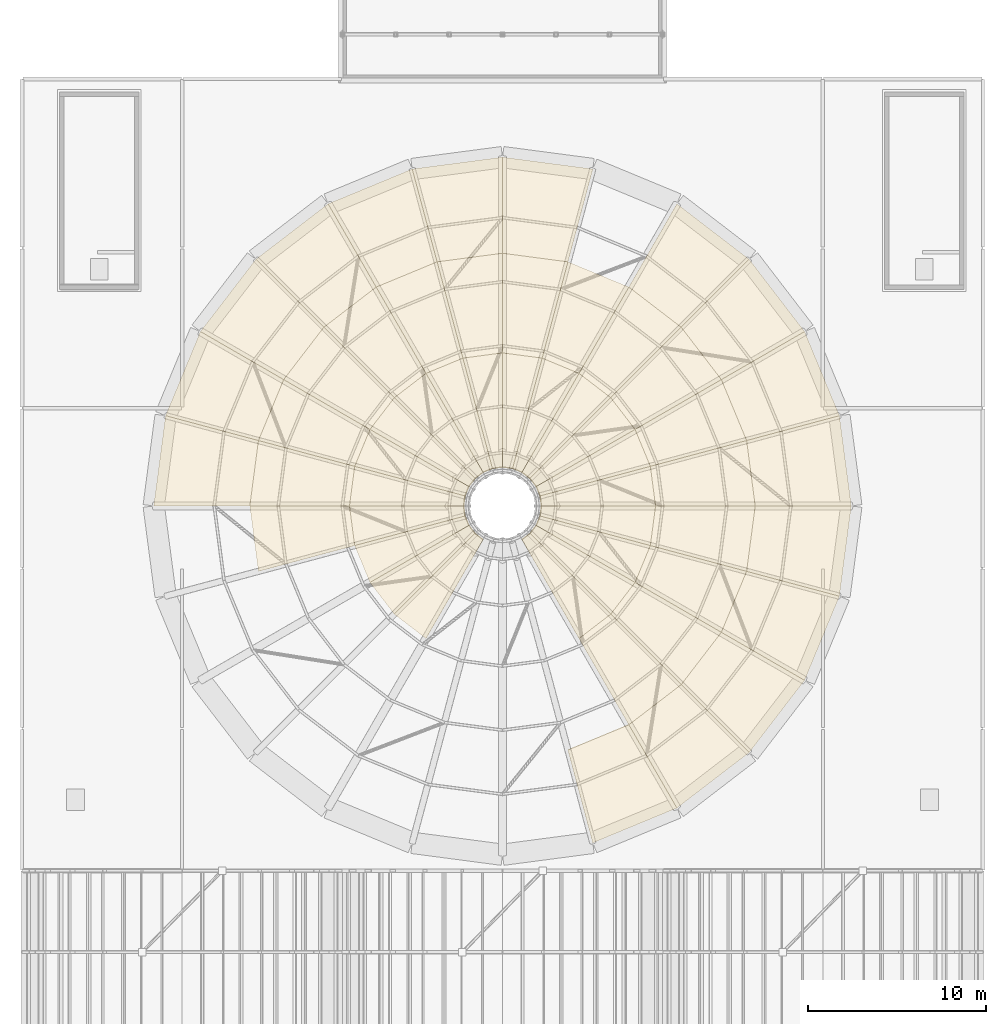
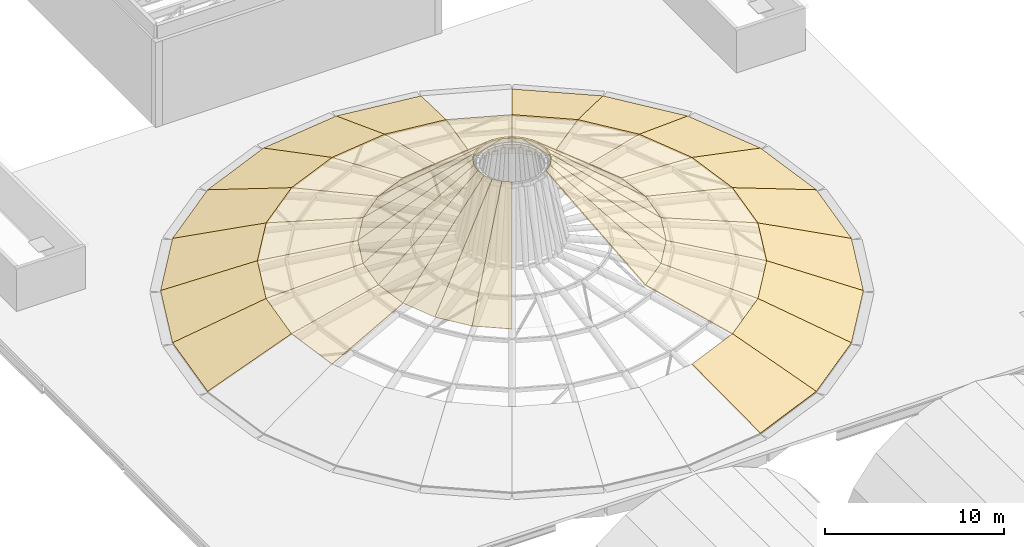
# One storey, part 24 of 25: 53 coverings, 1 element without a shape of its own.
"""IFC4 building model written with IfcOpenShell, lengths in metres."""

from ifc_helpers import new_model, si_unit, direction, frame, origin, place, context, subcontext, project, spatial, polyline, outline, extrude, material, layer, layer_set, type_object, element, aggregate, save


model = new_model("IFC4")

# Units and contexts
model_context = context("Model", 3, precision=1e-05, world=origin(), true_north=direction((0.0, 1.0)))
body_context = subcontext(model_context, "Body", "Model", "MODEL_VIEW")
ifc_project = project(units=[si_unit("LENGTHUNIT", "METRE"), si_unit("AREAUNIT", "SQUARE_METRE"), si_unit("VOLUMEUNIT", "CUBIC_METRE"), si_unit("PLANEANGLEUNIT", "RADIAN"), si_unit("MASSUNIT", "GRAM", prefix="KILO")], contexts=[model_context])

# Site, building, storey
site_placement = place(None, origin())
site = spatial("IfcSite", under=ifc_project, at=site_placement, CompositionType="ELEMENT")
building_placement = place(site_placement, origin())
building = spatial("IfcBuilding", under=site, at=building_placement, Name="Marnock Terrace Opera House", CompositionType="ELEMENT")
storey_placement = place(building_placement, frame((0.0, 0.0, 28.199951171875)))
storey = spatial("IfcBuildingStorey", under=building, at=storey_placement, Name="RF", CompositionType="ELEMENT", Elevation=28.199951171875)

# Roof, coverings
roof_placement = place(storey_placement, origin())
roof = element("IfcRoof", 1, at=roof_placement, inside=storey, Name="Main Auditorium steel-ribbed spherical dome", PredefinedType="DOME_ROOF")
ifc_material = material(Name="Patinated green copper-zinc standing-seam roofing")
ifc_layer = layer(ifc_material, 0.074951171875)
ifc_layer_set = layer_set([ifc_layer], Name="Patinated green copper-zinc standing-seam roofing")
covering_type = type_object("IfcCoveringType", Name="COV-DOME-GREEN", PredefinedType="ROOFING", material=ifc_layer_set)
covering_1_placement = place(storey_placement, frame((101.60009765625, 60.5, 0.10009765625), z_axis=(0.352317131294, 0.046389602184, 0.934730251894), x_axis=(-0.130549838233, 0.991441748027, 2.520747e-06)))
covering_1 = element("IfcCovering", 2, at=covering_1_placement, type_object=covering_type, Name="Dome green standing-seam gore 1.1", PredefinedType="ROOFING", context=body_context, shape_type="SweptSolid", body=[
    extrude(outline(polyline([(0.0, 0.0), (5.116543212380876, -1.1102230246251565e-16), (4.412003599005117, 5.727713691704827), (0.7049933807000869, 5.727776281930253), (0.0, 0.0)])), origin(), (0.0, 0.0, -1.0), 0.074951171875),
])
covering_2_placement = place(storey_placement, frame((96.199951171875, 60.5, 2.135498046875), z_axis=(0.237818915823, 0.031317595841, 0.970804497037), x_axis=(-0.130534414528, 0.991443778832, -6.265549e-06)))
covering_2 = element("IfcCovering", 3, at=covering_2_placement, type_object=covering_type, Name="Dome green standing-seam gore 1.2", PredefinedType="ROOFING", context=body_context, shape_type="SweptSolid", body=[
    extrude(outline(polyline([(0.0, 0.0), (3.707010218781899, 0.0), (2.9760247615627935, 5.719067657369038), (0.730965004858934, 5.718912187068278), (0.0, 0.0)])), origin(), (0.0, 0.0, -1.0), 0.074951171875),
])
covering_3_placement = place(storey_placement, frame((90.60009765625, 60.5, 3.50732421875), z_axis=(0.651569118289, 0.085821139871, 0.753719056442), x_axis=(-0.130596290777, 0.991435630167, 8.456923e-06)))
covering_3 = element("IfcCovering", 4, at=covering_3_placement, type_object=covering_type, Name="Dome green standing-seam gore 1.3", PredefinedType="ROOFING", context=body_context, shape_type="SweptSolid", body=[
    extrude(outline(polyline([(0.0, 0.0), (2.2450597620731765, -5.551115123125783e-17), (1.410130460041639, 8.418639955219465), (0.8358821810335909, 8.418676234569498), (0.0, 0.0)])), origin(), (0.0, 0.0, -1.0), 0.074951171875),
])
covering_4_placement = place(storey_placement, frame((100.93212890625, 65.57275390625, 0.10009765625), z_axis=(0.32831772337, 0.135983771502, 0.934727707094), x_axis=(-0.3826655891, 0.923886923229, 2.425053e-06)))
covering_4 = element("IfcCovering", 5, at=covering_4_placement, type_object=covering_type, Name="Dome green standing-seam gore 2.1", PredefinedType="ROOFING", context=body_context, shape_type="SweptSolid", body=[
    extrude(outline(polyline([(0.0, 0.0), (5.116748173598148, 2.220446049250313e-16), (4.411844387682832, 5.727606992132528), (0.70491742681314, 5.727667205970325), (0.0, 0.0)])), origin(), (0.0, 0.0, -1.0), 0.074951171875),
])
covering_5_placement = place(storey_placement, frame((95.716064453125, 64.17529296875, 2.135498046875), z_axis=(0.221610143309, 0.091786584396, 0.970805936997), x_axis=(-0.382650783688, 0.923893055359, -1.743796e-06)))
covering_5 = element("IfcCovering", 6, at=covering_5_placement, type_object=covering_type, Name="Dome green standing-seam gore 2.2", PredefinedType="ROOFING", context=body_context, shape_type="SweptSolid", body=[
    extrude(outline(polyline([(0.0, 0.0), (3.7069269613765257, -2.220446049250313e-16), (2.9757791507463995, 5.719150504026977), (0.7306757556963367, 5.719107233545815), (0.0, 0.0)])), origin(), (0.0, 0.0, -1.0), 0.074951171875),
])
covering_6_placement = place(storey_placement, frame((90.306884765625, 62.725830078125, 3.50732421875), z_axis=(0.607189973962, 0.251468837389, 0.753713313762), x_axis=(-0.382654051138, 0.923891701887, 1.8218067e-05)))
covering_6 = element("IfcCovering", 7, at=covering_6_placement, type_object=covering_type, Name="Dome green standing-seam gore 2.3", PredefinedType="ROOFING", context=body_context, shape_type="SweptSolid", body=[
    extrude(outline(polyline([(0.0, 0.0), (2.2451033948210775, -1.1102230246251565e-16), (1.4096484607707565, 8.418534661170975), (0.8352028538550624, 8.418612820744906), (0.0, 0.0)])), origin(), (0.0, 0.0, -1.0), 0.074951171875),
])
covering_7_placement = place(storey_placement, frame((98.97412109375, 70.300048828125, 0.10009765625), z_axis=(0.281933207248, 0.216329386275, 0.934727373775), x_axis=(-0.60875110808, 0.793361259712, -2.16203e-07)))
covering_7 = element("IfcCovering", 8, at=covering_7_placement, type_object=covering_type, Name="Dome green standing-seam gore 3.1", PredefinedType="ROOFING", context=body_context, shape_type="SweptSolid", body=[
    extrude(outline(polyline([(0.0, 0.0), (5.116617261257561, 0.0), (4.41170891799427, 5.727625652140126), (0.7047957767661198, 5.72762028393561), (0.0, 0.0)])), origin(), (0.0, 0.0, -1.0), 0.074951171875),
])
covering_8_placement = place(storey_placement, frame((94.297607421875, 67.60009765625, 2.135498046875), z_axis=(0.1902948667, 0.146019653415, 0.970806945033), x_axis=(-0.608752990058, 0.793359815646, -3.663156e-06)))
covering_8 = element("IfcCovering", 9, at=covering_8_placement, type_object=covering_type, Name="Dome green standing-seam gore 3.2", PredefinedType="ROOFING", context=body_context, shape_type="SweptSolid", body=[
    extrude(outline(polyline([(0.0, 0.0), (3.7069131412058365, 4.440892098500626e-16), (2.9758722978650205, 5.719271595584956), (0.7309115816826378, 5.7191806990435365), (0.0, 0.0)])), origin(), (0.0, 0.0, -1.0), 0.074951171875),
])
covering_9_placement = place(storey_placement, frame((89.44775390625, 64.800048828125, 3.50732421875), z_axis=(0.521382883776, 0.400100608334, 0.753710416351), x_axis=(-0.608787205779, 0.79333356041, -2.668368e-06)))
covering_9 = element("IfcCovering", 10, at=covering_9_placement, type_object=covering_type, Name="Dome green standing-seam gore 3.3", PredefinedType="ROOFING", context=body_context, shape_type="SweptSolid", body=[
    extrude(outline(polyline([(0.0, 0.0), (2.2449607180520497, 0.0), (1.409801611605279, 8.418536893474021), (0.835547778011423, 8.418525446995334), (0.0, 0.0)])), origin(), (0.0, 0.0, -1.0), 0.074951171875),
])
covering_10_placement = place(storey_placement, frame((95.859375, 74.359375, 0.10009765625), z_axis=(0.216329386275, 0.281933207248, 0.934727373775), x_axis=(-0.793361259712, 0.60875110808, 2.16203e-07)))
covering_10 = element("IfcCovering", 11, at=covering_10_placement, type_object=covering_type, Name="Dome green standing-seam gore 4.1", PredefinedType="ROOFING", context=body_context, shape_type="SweptSolid", body=[
    extrude(outline(polyline([(0.0, 0.0), (5.116617261257561, 0.0), (4.4118214844914405, 5.72762028393561), (0.7049083432632915, 5.727625652140126), (0.0, 0.0)])), origin(), (0.0, 0.0, -1.0), 0.074951171875),
])
covering_11_placement = place(storey_placement, frame((92.041015625, 70.541015625, 2.135498046875), z_axis=(0.146019653415, 0.1902948667, 0.970806945033), x_axis=(-0.793359815646, 0.608752990058, 3.663156e-06)))
covering_11 = element("IfcCovering", 12, at=covering_11_placement, type_object=covering_type, Name="Dome green standing-seam gore 4.2", PredefinedType="ROOFING", context=body_context, shape_type="SweptSolid", body=[
    extrude(outline(polyline([(0.0, 0.0), (3.7069131412058365, -4.440892098500626e-16), (2.976001559523198, 5.719180699043536), (0.7310408433408161, 5.719271595584955), (0.0, 0.0)])), origin(), (0.0, 0.0, -1.0), 0.074951171875),
])
covering_12_placement = place(storey_placement, frame((88.0810546875, 66.5810546875, 3.50732421875), z_axis=(0.400100608334, 0.521382883776, 0.753710416351), x_axis=(-0.79333356041, 0.608787205779, 2.668368e-06)))
covering_12 = element("IfcCovering", 13, at=covering_12_placement, type_object=covering_type, Name="Dome green standing-seam gore 4.3", PredefinedType="ROOFING", context=body_context, shape_type="SweptSolid", body=[
    extrude(outline(polyline([(0.0, 0.0), (2.2449607180520497, 0.0), (1.4094129400406266, 8.418525446995336), (0.8351591064467704, 8.418536893474021), (0.0, 0.0)])), origin(), (0.0, 0.0, -1.0), 0.074951171875),
])
covering_13_placement = place(storey_placement, frame((89.10009765625, 72.797607421875, 2.135498046875), z_axis=(0.091786584396, 0.221610143309, 0.970805936997), x_axis=(-0.923893055359, 0.382650783688, 1.743796e-06)))
covering_13 = element("IfcCovering", 14, at=covering_13_placement, type_object=covering_type, Name="Dome green standing-seam gore 5.2", PredefinedType="ROOFING", context=body_context, shape_type="SweptSolid", body=[
    extrude(outline(polyline([(0.0, 0.0), (3.7069269613765257, 2.220446049250313e-16), (2.976251205680189, 5.719107233545815), (0.731147810630126, 5.719150504026977), (0.0, 0.0)])), origin(), (0.0, 0.0, -1.0), 0.074951171875),
])
covering_14_placement = place(storey_placement, frame((86.300048828125, 67.94775390625, 3.50732421875), z_axis=(0.251468837389, 0.607189973962, 0.753713313762), x_axis=(-0.923891701887, 0.382654051138, -1.8218067e-05)))
covering_14 = element("IfcCovering", 15, at=covering_14_placement, type_object=covering_type, Name="Dome green standing-seam gore 5.3", PredefinedType="ROOFING", context=body_context, shape_type="SweptSolid", body=[
    extrude(outline(polyline([(0.0, 0.0), (2.2451033948210775, 1.1102230246251565e-16), (1.409900540966015, 8.418612820744906), (0.835454934050321, 8.418534661170975), (0.0, 0.0)])), origin(), (0.0, 0.0, -1.0), 0.074951171875),
])
covering_15_placement = place(storey_placement, frame((87.07275390625, 79.43212890625, 0.10009765625), z_axis=(0.046389602184, 0.352317131294, 0.934730251894), x_axis=(-0.991441748027, 0.130549838233, -2.520747e-06)))
covering_15 = element("IfcCovering", 16, at=covering_15_placement, type_object=covering_type, Name="Dome green standing-seam gore 6.1", PredefinedType="ROOFING", context=body_context, shape_type="SweptSolid", body=[
    extrude(outline(polyline([(0.0, 0.0), (5.116543212380876, 1.1102230246251565e-16), (4.411549831680788, 5.727776281930254), (0.7045396133757587, 5.727713691704827), (0.0, 0.0)])), origin(), (0.0, 0.0, -1.0), 0.074951171875),
])
covering_16_placement = place(storey_placement, frame((85.67529296875, 74.216064453125, 2.135498046875), z_axis=(0.031317595841, 0.237818915823, 0.970804497037), x_axis=(-0.991443778832, 0.130534414528, 6.265549e-06)))
covering_16 = element("IfcCovering", 17, at=covering_16_placement, type_object=covering_type, Name="Dome green standing-seam gore 6.2", PredefinedType="ROOFING", context=body_context, shape_type="SweptSolid", body=[
    extrude(outline(polyline([(0.0, 0.0), (3.707010218781899, 0.0), (2.9760452139229656, 5.718912187068278), (0.7309854572191057, 5.719067657369038), (0.0, 0.0)])), origin(), (0.0, 0.0, -1.0), 0.074951171875),
])
covering_17_placement = place(storey_placement, frame((84.225830078125, 68.806884765625, 3.50732421875), z_axis=(0.085821139871, 0.651569118289, 0.753719056442), x_axis=(-0.991435630167, 0.130596290777, -8.456923e-06)))
covering_17 = element("IfcCovering", 18, at=covering_17_placement, type_object=covering_type, Name="Dome green standing-seam gore 6.3", PredefinedType="ROOFING", context=body_context, shape_type="SweptSolid", body=[
    extrude(outline(polyline([(0.0, 0.0), (2.2450597620731765, 5.551115123125783e-17), (1.4091775810395855, 8.418676234569498), (0.8349293020315377, 8.418639955219465), (0.0, 0.0)])), origin(), (0.0, 0.0, -1.0), 0.074951171875),
])
covering_18_placement = place(storey_placement, frame((82.0, 80.10009765625, 0.10009765625), z_axis=(-0.046389602184, 0.352317131294, 0.934730251894), x_axis=(-0.991441748027, -0.130549838233, 2.520747e-06)))
covering_18 = element("IfcCovering", 19, at=covering_18_placement, type_object=covering_type, Name="Dome green standing-seam gore 7.1", PredefinedType="ROOFING", context=body_context, shape_type="SweptSolid", body=[
    extrude(outline(polyline([(0.0, 0.0), (5.116543212380876, -1.1102230246251565e-16), (4.412003599005117, 5.727713691704827), (0.7049933807000869, 5.727776281930253), (0.0, 0.0)])), origin(), (0.0, 0.0, -1.0), 0.074951171875),
])
covering_19_placement = place(storey_placement, frame((82.0, 74.699951171875, 2.135498046875), z_axis=(-0.031317595841, 0.237818915823, 0.970804497037), x_axis=(-0.991443778832, -0.130534414528, -6.265549e-06)))
covering_19 = element("IfcCovering", 20, at=covering_19_placement, type_object=covering_type, Name="Dome green standing-seam gore 7.2", PredefinedType="ROOFING", context=body_context, shape_type="SweptSolid", body=[
    extrude(outline(polyline([(0.0, 0.0), (3.707010218781899, 0.0), (2.9760247615627935, 5.719067657369038), (0.730965004858934, 5.718912187068278), (0.0, 0.0)])), origin(), (0.0, 0.0, -1.0), 0.074951171875),
])
covering_20_placement = place(storey_placement, frame((82.0, 69.10009765625, 3.50732421875), z_axis=(-0.085821139871, 0.651569118289, 0.753719056442), x_axis=(-0.991435630167, -0.130596290777, 8.456923e-06)))
covering_20 = element("IfcCovering", 21, at=covering_20_placement, type_object=covering_type, Name="Dome green standing-seam gore 7.3", PredefinedType="ROOFING", context=body_context, shape_type="SweptSolid", body=[
    extrude(outline(polyline([(0.0, 0.0), (2.2450597620731765, -5.551115123125783e-17), (1.410130460041639, 8.418639955219465), (0.8358821810335909, 8.418676234569498), (0.0, 0.0)])), origin(), (0.0, 0.0, -1.0), 0.074951171875),
])
covering_21_placement = place(storey_placement, frame((76.92724609375, 79.43212890625, 0.10009765625), z_axis=(-0.135983771502, 0.32831772337, 0.934727707094), x_axis=(-0.923886923229, -0.3826655891, 2.425053e-06)))
covering_21 = element("IfcCovering", 22, at=covering_21_placement, type_object=covering_type, Name="Dome green standing-seam gore 8.1", PredefinedType="ROOFING", context=body_context, shape_type="SweptSolid", body=[
    extrude(outline(polyline([(0.0, 0.0), (5.116748173598148, 2.220446049250313e-16), (4.411844387682832, 5.727606992132528), (0.70491742681314, 5.727667205970325), (0.0, 0.0)])), origin(), (0.0, 0.0, -1.0), 0.074951171875),
])
covering_22_placement = place(storey_placement, frame((78.32470703125, 74.216064453125, 2.135498046875), z_axis=(-0.091786584396, 0.221610143309, 0.970805936997), x_axis=(-0.923893055359, -0.382650783688, -1.743796e-06)))
covering_22 = element("IfcCovering", 23, at=covering_22_placement, type_object=covering_type, Name="Dome green standing-seam gore 8.2", PredefinedType="ROOFING", context=body_context, shape_type="SweptSolid", body=[
    extrude(outline(polyline([(0.0, 0.0), (3.7069269613765257, -2.220446049250313e-16), (2.9757791507463995, 5.719150504026977), (0.7306757556963367, 5.719107233545815), (0.0, 0.0)])), origin(), (0.0, 0.0, -1.0), 0.074951171875),
])
covering_23_placement = place(storey_placement, frame((79.774169921875, 68.806884765625, 3.50732421875), z_axis=(-0.251468837389, 0.607189973962, 0.753713313762), x_axis=(-0.923891701887, -0.382654051138, 1.8218067e-05)))
covering_23 = element("IfcCovering", 24, at=covering_23_placement, type_object=covering_type, Name="Dome green standing-seam gore 8.3", PredefinedType="ROOFING", context=body_context, shape_type="SweptSolid", body=[
    extrude(outline(polyline([(0.0, 0.0), (2.2451033948210775, -1.1102230246251565e-16), (1.4096484607707565, 8.418534661170975), (0.8352028538550624, 8.418612820744906), (0.0, 0.0)])), origin(), (0.0, 0.0, -1.0), 0.074951171875),
])
covering_24_placement = place(storey_placement, frame((72.199951171875, 77.47412109375, 0.10009765625), z_axis=(-0.216329386275, 0.281933207248, 0.934727373775), x_axis=(-0.793361259712, -0.60875110808, -2.16203e-07)))
covering_24 = element("IfcCovering", 25, at=covering_24_placement, type_object=covering_type, Name="Dome green standing-seam gore 9.1", PredefinedType="ROOFING", context=body_context, shape_type="SweptSolid", body=[
    extrude(outline(polyline([(0.0, 0.0), (5.116617261257561, 0.0), (4.41170891799427, 5.727625652140126), (0.7047957767661198, 5.72762028393561), (0.0, 0.0)])), origin(), (0.0, 0.0, -1.0), 0.074951171875),
])
covering_25_placement = place(storey_placement, frame((74.89990234375, 72.797607421875, 2.135498046875), z_axis=(-0.146019653415, 0.1902948667, 0.970806945033), x_axis=(-0.793359815646, -0.608752990058, -3.663156e-06)))
covering_25 = element("IfcCovering", 26, at=covering_25_placement, type_object=covering_type, Name="Dome green standing-seam gore 9.2", PredefinedType="ROOFING", context=body_context, shape_type="SweptSolid", body=[
    extrude(outline(polyline([(0.0, 0.0), (3.7069131412058365, 4.440892098500626e-16), (2.9758722978650205, 5.719271595584956), (0.7309115816826378, 5.7191806990435365), (0.0, 0.0)])), origin(), (0.0, 0.0, -1.0), 0.074951171875),
])
covering_26_placement = place(storey_placement, frame((77.699951171875, 67.94775390625, 3.50732421875), z_axis=(-0.400100608334, 0.521382883776, 0.753710416351), x_axis=(-0.79333356041, -0.608787205779, -2.668368e-06)))
covering_26 = element("IfcCovering", 27, at=covering_26_placement, type_object=covering_type, Name="Dome green standing-seam gore 9.3", PredefinedType="ROOFING", context=body_context, shape_type="SweptSolid", body=[
    extrude(outline(polyline([(0.0, 0.0), (2.2449607180520497, 0.0), (1.409801611605279, 8.418536893474021), (0.835547778011423, 8.418525446995334), (0.0, 0.0)])), origin(), (0.0, 0.0, -1.0), 0.074951171875),
])
covering_27_placement = place(storey_placement, frame((68.140625, 74.359375, 0.10009765625), z_axis=(-0.281933207248, 0.216329386275, 0.934727373775), x_axis=(-0.60875110808, -0.793361259712, 2.16203e-07)))
covering_27 = element("IfcCovering", 28, at=covering_27_placement, type_object=covering_type, Name="Dome green standing-seam gore 10.1", PredefinedType="ROOFING", context=body_context, shape_type="SweptSolid", body=[
    extrude(outline(polyline([(0.0, 0.0), (5.116617261257561, 0.0), (4.4118214844914405, 5.72762028393561), (0.7049083432632915, 5.727625652140126), (0.0, 0.0)])), origin(), (0.0, 0.0, -1.0), 0.074951171875),
])
covering_28_placement = place(storey_placement, frame((71.958984375, 70.541015625, 2.135498046875), z_axis=(-0.1902948667, 0.146019653415, 0.970806945033), x_axis=(-0.608752990058, -0.793359815646, 3.663156e-06)))
covering_28 = element("IfcCovering", 29, at=covering_28_placement, type_object=covering_type, Name="Dome green standing-seam gore 10.2", PredefinedType="ROOFING", context=body_context, shape_type="SweptSolid", body=[
    extrude(outline(polyline([(0.0, 0.0), (3.7069131412058365, -4.440892098500626e-16), (2.976001559523198, 5.719180699043536), (0.7310408433408161, 5.719271595584955), (0.0, 0.0)])), origin(), (0.0, 0.0, -1.0), 0.074951171875),
])
covering_29_placement = place(storey_placement, frame((75.9189453125, 66.5810546875, 3.50732421875), z_axis=(-0.521382883776, 0.400100608334, 0.753710416351), x_axis=(-0.608787205779, -0.79333356041, 2.668368e-06)))
covering_29 = element("IfcCovering", 30, at=covering_29_placement, type_object=covering_type, Name="Dome green standing-seam gore 10.3", PredefinedType="ROOFING", context=body_context, shape_type="SweptSolid", body=[
    extrude(outline(polyline([(0.0, 0.0), (2.2449607180520497, 0.0), (1.4094129400406266, 8.418525446995336), (0.8351591064467704, 8.418536893474021), (0.0, 0.0)])), origin(), (0.0, 0.0, -1.0), 0.074951171875),
])
covering_30_placement = place(storey_placement, frame((65.02587890625, 70.300048828125, 0.10009765625), z_axis=(-0.32831772337, 0.135983771502, 0.934727707094), x_axis=(-0.3826655891, -0.923886923229, -2.425053e-06)))
covering_30 = element("IfcCovering", 31, at=covering_30_placement, type_object=covering_type, Name="Dome green standing-seam gore 11.1", PredefinedType="ROOFING", context=body_context, shape_type="SweptSolid", body=[
    extrude(outline(polyline([(0.0, 0.0), (5.116748173598148, -2.220446049250313e-16), (4.411830746785007, 5.727667205970325), (0.7049037859153156, 5.727606992132527), (0.0, 0.0)])), origin(), (0.0, 0.0, -1.0), 0.074951171875),
])
covering_31_placement = place(storey_placement, frame((69.702392578125, 67.60009765625, 2.135498046875), z_axis=(-0.221610143309, 0.091786584396, 0.970805936997), x_axis=(-0.382650783688, -0.923893055359, 1.743796e-06)))
covering_31 = element("IfcCovering", 32, at=covering_31_placement, type_object=covering_type, Name="Dome green standing-seam gore 11.2", PredefinedType="ROOFING", context=body_context, shape_type="SweptSolid", body=[
    extrude(outline(polyline([(0.0, 0.0), (3.7069269613765257, 2.220446049250313e-16), (2.976251205680189, 5.719107233545815), (0.731147810630126, 5.719150504026977), (0.0, 0.0)])), origin(), (0.0, 0.0, -1.0), 0.074951171875),
])
covering_32_placement = place(storey_placement, frame((74.55224609375, 64.800048828125, 3.50732421875), z_axis=(-0.607189973962, 0.251468837389, 0.753713313762), x_axis=(-0.382654051138, -0.923891701887, -1.8218067e-05)))
covering_32 = element("IfcCovering", 33, at=covering_32_placement, type_object=covering_type, Name="Dome green standing-seam gore 11.3", PredefinedType="ROOFING", context=body_context, shape_type="SweptSolid", body=[
    extrude(outline(polyline([(0.0, 0.0), (2.2451033948210775, 1.1102230246251565e-16), (1.409900540966015, 8.418612820744906), (0.835454934050321, 8.418534661170975), (0.0, 0.0)])), origin(), (0.0, 0.0, -1.0), 0.074951171875),
])
covering_33_placement = place(storey_placement, frame((63.06787109375, 65.57275390625, 0.10009765625), z_axis=(-0.352317131294, 0.046389602184, 0.934730251894), x_axis=(-0.130549838233, -0.991441748027, -2.520747e-06)))
covering_33 = element("IfcCovering", 34, at=covering_33_placement, type_object=covering_type, Name="Dome green standing-seam gore 12.1", PredefinedType="ROOFING", context=body_context, shape_type="SweptSolid", body=[
    extrude(outline(polyline([(0.0, 0.0), (5.116543212380876, 1.1102230246251565e-16), (4.411549831680788, 5.727776281930254), (0.7045396133757587, 5.727713691704827), (0.0, 0.0)])), origin(), (0.0, 0.0, -1.0), 0.074951171875),
])
covering_34_placement = place(storey_placement, frame((68.283935546875, 64.17529296875, 2.135498046875), z_axis=(-0.237818915823, 0.031317595841, 0.970804497037), x_axis=(-0.130534414528, -0.991443778832, 6.265549e-06)))
covering_34 = element("IfcCovering", 35, at=covering_34_placement, type_object=covering_type, Name="Dome green standing-seam gore 12.2", PredefinedType="ROOFING", context=body_context, shape_type="SweptSolid", body=[
    extrude(outline(polyline([(0.0, 0.0), (3.707010218781899, 0.0), (2.9760452139229656, 5.718912187068278), (0.7309854572191057, 5.719067657369038), (0.0, 0.0)])), origin(), (0.0, 0.0, -1.0), 0.074951171875),
])
covering_35_placement = place(storey_placement, frame((73.693115234375, 62.725830078125, 3.50732421875), z_axis=(-0.651569118289, 0.085821139871, 0.753719056442), x_axis=(-0.130596290777, -0.991435630167, -8.456923e-06)))
covering_35 = element("IfcCovering", 36, at=covering_35_placement, type_object=covering_type, Name="Dome green standing-seam gore 12.3", PredefinedType="ROOFING", context=body_context, shape_type="SweptSolid", body=[
    extrude(outline(polyline([(0.0, 0.0), (2.2450597620731765, 5.551115123125783e-17), (1.4091775810395855, 8.418676234569498), (0.8349293020315377, 8.418639955219465), (0.0, 0.0)])), origin(), (0.0, 0.0, -1.0), 0.074951171875),
])
covering_36_placement = place(storey_placement, frame((67.800048828125, 60.5, 2.135498046875), z_axis=(-0.237818915823, -0.031317595841, 0.970804497037), x_axis=(0.130534414528, -0.991443778832, -6.265549e-06)))
covering_36 = element("IfcCovering", 37, at=covering_36_placement, type_object=covering_type, Name="Dome green standing-seam gore 13.2", PredefinedType="ROOFING", context=body_context, shape_type="SweptSolid", body=[
    extrude(outline(polyline([(0.0, 0.0), (3.707010218781899, 0.0), (2.9760247615627935, 5.719067657369038), (0.730965004858934, 5.718912187068278), (0.0, 0.0)])), origin(), (0.0, 0.0, -1.0), 0.074951171875),
])
covering_37_placement = place(storey_placement, frame((73.39990234375, 60.5, 3.50732421875), z_axis=(-0.651569118289, -0.085821139871, 0.753719056442), x_axis=(0.130596290777, -0.991435630167, 8.456923e-06)))
covering_37 = element("IfcCovering", 38, at=covering_37_placement, type_object=covering_type, Name="Dome green standing-seam gore 13.3", PredefinedType="ROOFING", context=body_context, shape_type="SweptSolid", body=[
    extrude(outline(polyline([(0.0, 0.0), (2.2450597620731765, -5.551115123125783e-17), (1.410130460041639, 8.418639955219465), (0.8358821810335909, 8.418676234569498), (0.0, 0.0)])), origin(), (0.0, 0.0, -1.0), 0.074951171875),
])
covering_38_placement = place(storey_placement, frame((73.693115234375, 58.274169921875, 3.50732421875), z_axis=(-0.607189973962, -0.251468837389, 0.753713313762), x_axis=(0.382654051138, -0.923891701887, 1.8218067e-05)))
covering_38 = element("IfcCovering", 39, at=covering_38_placement, type_object=covering_type, Name="Dome green standing-seam gore 14.3", PredefinedType="ROOFING", context=body_context, shape_type="SweptSolid", body=[
    extrude(outline(polyline([(0.0, 0.0), (2.2451033948210775, -1.1102230246251565e-16), (1.4096484607707565, 8.418534661170975), (0.8352028538550624, 8.418612820744906), (0.0, 0.0)])), origin(), (0.0, 0.0, -1.0), 0.074951171875),
])
covering_39_placement = place(storey_placement, frame((74.55224609375, 56.199951171875, 3.50732421875), z_axis=(-0.521382883776, -0.400100608334, 0.753710416351), x_axis=(0.608787205779, -0.79333356041, -2.668368e-06)))
covering_39 = element("IfcCovering", 40, at=covering_39_placement, type_object=covering_type, Name="Dome green standing-seam gore 15.3", PredefinedType="ROOFING", context=body_context, shape_type="SweptSolid", body=[
    extrude(outline(polyline([(0.0, 0.0), (2.2449607180520497, 0.0), (1.409801611605279, 8.418536893474021), (0.835547778011423, 8.418525446995334), (0.0, 0.0)])), origin(), (0.0, 0.0, -1.0), 0.074951171875),
])
covering_40_placement = place(storey_placement, frame((75.9189453125, 54.4189453125, 3.50732421875), z_axis=(-0.400100608334, -0.521382883776, 0.753710416351), x_axis=(0.79333356041, -0.608787205779, 2.668368e-06)))
covering_40 = element("IfcCovering", 41, at=covering_40_placement, type_object=covering_type, Name="Dome green standing-seam gore 16.3", PredefinedType="ROOFING", context=body_context, shape_type="SweptSolid", body=[
    extrude(outline(polyline([(0.0, 0.0), (2.2449607180520497, 0.0), (1.4094129400406266, 8.418525446995336), (0.8351591064467704, 8.418536893474021), (0.0, 0.0)])), origin(), (0.0, 0.0, -1.0), 0.074951171875),
])
covering_41_placement = place(storey_placement, frame((87.07275390625, 41.56787109375, 0.10009765625), z_axis=(0.135983771502, -0.32831772337, 0.934727707094), x_axis=(0.923886923229, 0.3826655891, 2.425053e-06)))
covering_41 = element("IfcCovering", 42, at=covering_41_placement, type_object=covering_type, Name="Dome green standing-seam gore 20.1", PredefinedType="ROOFING", context=body_context, shape_type="SweptSolid", body=[
    extrude(outline(polyline([(0.0, 0.0), (5.116748173598148, 2.220446049250313e-16), (4.411844387682832, 5.727606992132528), (0.70491742681314, 5.727667205970325), (0.0, 0.0)])), origin(), (0.0, 0.0, -1.0), 0.074951171875),
])
covering_42_placement = place(storey_placement, frame((91.800048828125, 43.52587890625, 0.10009765625), z_axis=(0.216329386275, -0.281933207248, 0.934727373775), x_axis=(0.793361259712, 0.60875110808, -2.16203e-07)))
covering_42 = element("IfcCovering", 43, at=covering_42_placement, type_object=covering_type, Name="Dome green standing-seam gore 21.1", PredefinedType="ROOFING", context=body_context, shape_type="SweptSolid", body=[
    extrude(outline(polyline([(0.0, 0.0), (5.116617261257561, 0.0), (4.41170891799427, 5.727625652140126), (0.7047957767661198, 5.72762028393561), (0.0, 0.0)])), origin(), (0.0, 0.0, -1.0), 0.074951171875),
])
covering_43_placement = place(storey_placement, frame((89.10009765625, 48.202392578125, 2.135498046875), z_axis=(0.146019653415, -0.1902948667, 0.970806945033), x_axis=(0.793359815646, 0.608752990058, -3.663156e-06)))
covering_43 = element("IfcCovering", 44, at=covering_43_placement, type_object=covering_type, Name="Dome green standing-seam gore 21.2", PredefinedType="ROOFING", context=body_context, shape_type="SweptSolid", body=[
    extrude(outline(polyline([(0.0, 0.0), (3.7069131412058365, 4.440892098500626e-16), (2.9758722978650205, 5.719271595584956), (0.7309115816826378, 5.7191806990435365), (0.0, 0.0)])), origin(), (0.0, 0.0, -1.0), 0.074951171875),
])
covering_44_placement = place(storey_placement, frame((86.300048828125, 53.05224609375, 3.50732421875), z_axis=(0.400100608334, -0.521382883776, 0.753710416351), x_axis=(0.79333356041, 0.608787205779, -2.668368e-06)))
covering_44 = element("IfcCovering", 45, at=covering_44_placement, type_object=covering_type, Name="Dome green standing-seam gore 21.3", PredefinedType="ROOFING", context=body_context, shape_type="SweptSolid", body=[
    extrude(outline(polyline([(0.0, 0.0), (2.2449607180520497, 0.0), (1.409801611605279, 8.418536893474021), (0.835547778011423, 8.418525446995334), (0.0, 0.0)])), origin(), (0.0, 0.0, -1.0), 0.074951171875),
])
covering_45_placement = place(storey_placement, frame((95.859375, 46.640625, 0.10009765625), z_axis=(0.281933207248, -0.216329386275, 0.934727373775), x_axis=(0.60875110808, 0.793361259712, 2.16203e-07)))
covering_45 = element("IfcCovering", 46, at=covering_45_placement, type_object=covering_type, Name="Dome green standing-seam gore 22.1", PredefinedType="ROOFING", context=body_context, shape_type="SweptSolid", body=[
    extrude(outline(polyline([(0.0, 0.0), (5.116617261257561, 0.0), (4.4118214844914405, 5.72762028393561), (0.7049083432632915, 5.727625652140126), (0.0, 0.0)])), origin(), (0.0, 0.0, -1.0), 0.074951171875),
])
covering_46_placement = place(storey_placement, frame((92.041015625, 50.458984375, 2.135498046875), z_axis=(0.1902948667, -0.146019653415, 0.970806945033), x_axis=(0.608752990058, 0.793359815646, 3.663156e-06)))
covering_46 = element("IfcCovering", 47, at=covering_46_placement, type_object=covering_type, Name="Dome green standing-seam gore 22.2", PredefinedType="ROOFING", context=body_context, shape_type="SweptSolid", body=[
    extrude(outline(polyline([(0.0, 0.0), (3.7069131412058365, -4.440892098500626e-16), (2.976001559523198, 5.719180699043536), (0.7310408433408161, 5.719271595584955), (0.0, 0.0)])), origin(), (0.0, 0.0, -1.0), 0.074951171875),
])
covering_47_placement = place(storey_placement, frame((88.0810546875, 54.4189453125, 3.50732421875), z_axis=(0.521382883776, -0.400100608334, 0.753710416351), x_axis=(0.608787205779, 0.79333356041, 2.668368e-06)))
covering_47 = element("IfcCovering", 48, at=covering_47_placement, type_object=covering_type, Name="Dome green standing-seam gore 22.3", PredefinedType="ROOFING", context=body_context, shape_type="SweptSolid", body=[
    extrude(outline(polyline([(0.0, 0.0), (2.2449607180520497, 0.0), (1.4094129400406266, 8.418525446995336), (0.8351591064467704, 8.418536893474021), (0.0, 0.0)])), origin(), (0.0, 0.0, -1.0), 0.074951171875),
])
covering_48_placement = place(storey_placement, frame((98.97412109375, 50.699951171875, 0.10009765625), z_axis=(0.32831772337, -0.135983771502, 0.934727707094), x_axis=(0.3826655891, 0.923886923229, -2.425053e-06)))
covering_48 = element("IfcCovering", 49, at=covering_48_placement, type_object=covering_type, Name="Dome green standing-seam gore 23.1", PredefinedType="ROOFING", context=body_context, shape_type="SweptSolid", body=[
    extrude(outline(polyline([(0.0, 0.0), (5.116748173598148, -2.220446049250313e-16), (4.411830746785007, 5.727667205970325), (0.7049037859153156, 5.727606992132527), (0.0, 0.0)])), origin(), (0.0, 0.0, -1.0), 0.074951171875),
])
covering_49_placement = place(storey_placement, frame((94.297607421875, 53.39990234375, 2.135498046875), z_axis=(0.221610143309, -0.091786584396, 0.970805936997), x_axis=(0.382650783688, 0.923893055359, 1.743796e-06)))
covering_49 = element("IfcCovering", 50, at=covering_49_placement, type_object=covering_type, Name="Dome green standing-seam gore 23.2", PredefinedType="ROOFING", context=body_context, shape_type="SweptSolid", body=[
    extrude(outline(polyline([(0.0, 0.0), (3.7069269613765257, 2.220446049250313e-16), (2.976251205680189, 5.719107233545815), (0.731147810630126, 5.719150504026977), (0.0, 0.0)])), origin(), (0.0, 0.0, -1.0), 0.074951171875),
])
covering_50_placement = place(storey_placement, frame((89.44775390625, 56.199951171875, 3.50732421875), z_axis=(0.607189973962, -0.251468837389, 0.753713313762), x_axis=(0.382654051138, 0.923891701887, -1.8218067e-05)))
covering_50 = element("IfcCovering", 51, at=covering_50_placement, type_object=covering_type, Name="Dome green standing-seam gore 23.3", PredefinedType="ROOFING", context=body_context, shape_type="SweptSolid", body=[
    extrude(outline(polyline([(0.0, 0.0), (2.2451033948210775, 1.1102230246251565e-16), (1.409900540966015, 8.418612820744906), (0.835454934050321, 8.418534661170975), (0.0, 0.0)])), origin(), (0.0, 0.0, -1.0), 0.074951171875),
])
covering_51_placement = place(storey_placement, frame((100.93212890625, 55.42724609375, 0.10009765625), z_axis=(0.352317131294, -0.046389602184, 0.934730251894), x_axis=(0.130549838233, 0.991441748027, -2.520747e-06)))
covering_51 = element("IfcCovering", 52, at=covering_51_placement, type_object=covering_type, Name="Dome green standing-seam gore 24.1", PredefinedType="ROOFING", context=body_context, shape_type="SweptSolid", body=[
    extrude(outline(polyline([(0.0, 0.0), (5.116543212380876, 1.1102230246251565e-16), (4.411549831680788, 5.727776281930254), (0.7045396133757587, 5.727713691704827), (0.0, 0.0)])), origin(), (0.0, 0.0, -1.0), 0.074951171875),
])
covering_52_placement = place(storey_placement, frame((95.716064453125, 56.82470703125, 2.135498046875), z_axis=(0.237818915823, -0.031317595841, 0.970804497037), x_axis=(0.130534414528, 0.991443778832, 6.265549e-06)))
covering_52 = element("IfcCovering", 53, at=covering_52_placement, type_object=covering_type, Name="Dome green standing-seam gore 24.2", PredefinedType="ROOFING", context=body_context, shape_type="SweptSolid", body=[
    extrude(outline(polyline([(0.0, 0.0), (3.707010218781899, 0.0), (2.9760452139229656, 5.718912187068278), (0.7309854572191057, 5.719067657369038), (0.0, 0.0)])), origin(), (0.0, 0.0, -1.0), 0.074951171875),
])
covering_53_placement = place(storey_placement, frame((90.306884765625, 58.274169921875, 3.50732421875), z_axis=(0.651569118289, -0.085821139871, 0.753719056442), x_axis=(0.130596290777, 0.991435630167, -8.456923e-06)))
covering_53 = element("IfcCovering", 54, at=covering_53_placement, type_object=covering_type, Name="Dome green standing-seam gore 24.3", PredefinedType="ROOFING", context=body_context, shape_type="SweptSolid", body=[
    extrude(outline(polyline([(0.0, 0.0), (2.2450597620731765, 5.551115123125783e-17), (1.4091775810395855, 8.418676234569498), (0.8349293020315377, 8.418639955219465), (0.0, 0.0)])), origin(), (0.0, 0.0, -1.0), 0.074951171875),
])
aggregate(roof, [covering_1, covering_2, covering_3, covering_4, covering_5, covering_6, covering_7, covering_8, covering_9, covering_10, covering_11, covering_12, covering_13, covering_14, covering_15, covering_16, covering_17, covering_18, covering_19, covering_20, covering_21, covering_22, covering_23, covering_24, covering_25, covering_26, covering_27, covering_28, covering_29, covering_30, covering_31, covering_32, covering_33, covering_34, covering_35, covering_36, covering_37, covering_38, covering_39, covering_40, covering_41, covering_42, covering_43, covering_44, covering_45, covering_46, covering_47, covering_48, covering_49, covering_50, covering_51, covering_52, covering_53])

save(model, "model.ifc")
